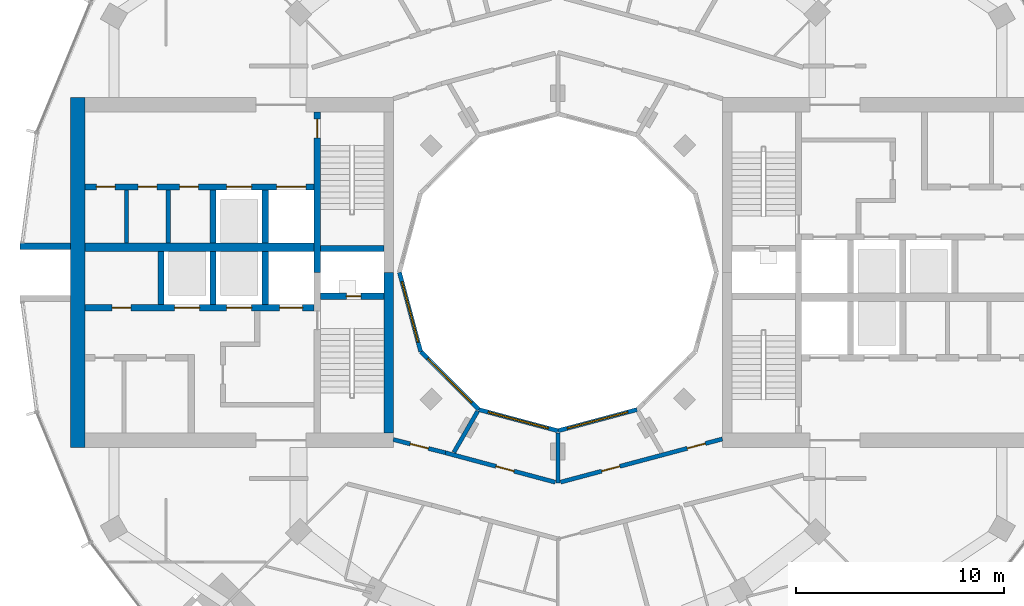
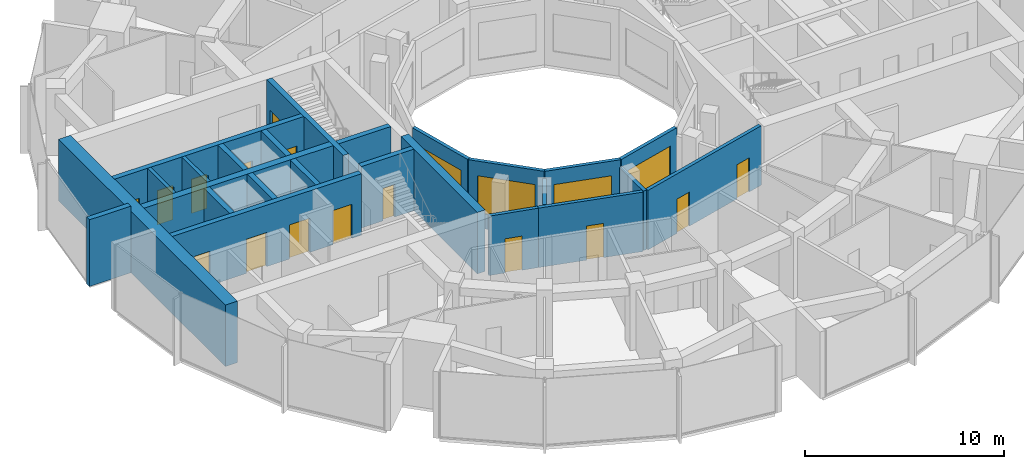
# One storey, part 9 of 15: 25 walls, 15 doors, 4 windows, 19 openings.
"""IFC4 building model written with IfcOpenShell, lengths in metres."""

from ifc_helpers import new_model, si_unit, direction, frame, frame_2d, origin, place, context, subcontext, project, spatial, rectangle, extrude, material, layer, layer_set, type_object, element, fill, save


model = new_model("IFC4")

# Units and contexts
model_context = context("Model", 3, precision=1e-05, world=origin(), true_north=direction((0.0, 1.0)))
body_context = subcontext(model_context, "Body", "Model", "MODEL_VIEW")
ifc_project = project(units=[si_unit("LENGTHUNIT", "METRE"), si_unit("AREAUNIT", "SQUARE_METRE"), si_unit("VOLUMEUNIT", "CUBIC_METRE"), si_unit("PLANEANGLEUNIT", "RADIAN"), si_unit("MASSUNIT", "GRAM", prefix="KILO")], contexts=[model_context])

# Site, building, storey
site_placement = place(None, origin())
site = spatial("IfcSite", under=ifc_project, at=site_placement, CompositionType="ELEMENT")
building_placement = place(site_placement, origin())
building = spatial("IfcBuilding", under=site, at=building_placement, Name="Torre Brocal", CompositionType="ELEMENT")
storey_placement = place(building_placement, frame((0.0, 0.0, 190.5)))
storey = spatial("IfcBuildingStorey", under=building, at=storey_placement, Name="L44", CompositionType="ELEMENT", Elevation=190.5)

# Walls
ifc_material_1 = material(Name="Masonry block", Category="masonry")
ifc_layer_1 = layer(ifc_material_1, 0.199951171875)
ifc_layer_set_1 = layer_set([ifc_layer_1], Name="Masonry block")
wall_type_1 = type_object("IfcWallType", Name="CORE PARTITION 200", PredefinedType="PARTITIONING", material=ifc_layer_set_1)
for number, where, z_axis, x_axis, name in (
    (1, (61.300048828125, 78.949951171875, 0.0), (0.0, 0.0, 1.0), (0.0, -1.0, 0.0), "Wall CP200"),
    (2, (59.300048828125, 78.949951171875, 0.0), (0.0, 0.0, 1.0), (0.0, -1.0, 0.0), "Wall CP200"),
):
    element("IfcWall", number, at=place(storey_placement, frame(where, z_axis=z_axis, x_axis=x_axis)), inside=storey, type_object=wall_type_1, Name=name, PredefinedType="PARTITIONING", context=body_context, shape_type="SweptSolid", body=[
        extrude(rectangle(XDim=2.550048828125, YDim=0.199951171875, at=frame_2d((1.27490234375, 0.0))), origin(), (0.0, 0.0, 1.0), 3.780029296875),
    ])

# Wall, opening, door
ifc_material_2 = material(Name="Concrete C70", Category="concrete")
ifc_layer_2 = layer(ifc_material_2, 0.300048828125)
ifc_layer_set_2 = layer_set([ifc_layer_2], Name="Concrete C70")
wall_type_2 = type_object("IfcWallType", Name="CORE WALL 300 C70", PredefinedType="SHEAR", material=ifc_layer_set_2)
wall_1_placement = place(storey_placement, frame((68.449951171875, 82.699951171875, 0.0), z_axis=(0.0, 0.0, 1.0), x_axis=(0.0, -1.0, 0.0)))
wall_1 = element("IfcWall", 3, at=wall_1_placement, inside=storey, type_object=wall_type_2, Name="Wall CW300-70", PredefinedType="SHEAR", context=body_context, shape_type="SweptSolid", body=[
    extrude(rectangle(XDim=7.699951171875, YDim=0.300048828125, at=frame_2d((3.85009765625, 0.0))), origin(), (0.0, 0.0, 1.0), 3.780029296875),
])
opening_1_placement = place(wall_1_placement, frame((0.35009765625, 0.0, 0.0)))
opening_1 = element("IfcOpeningElement", 4, at=opening_1_placement, cuts=wall_1, Name="Opening W-D03", PredefinedType="OPENING", context=body_context, shape_type="SweptSolid", body=[
    extrude(rectangle(XDim=0.89990234375, YDim=2.10009765625, at=frame_2d((0.449951171875, 1.050048828125))), frame((0.0, 0.159912109375, 0.0), z_axis=(0.0, -1.0, 0.0), x_axis=(1.0, 0.0, 0.0)), (0.0, 0.0, 1.0), 0.320068359375),
])
ifc_material_3 = material(Name="Steel A653", Category="steel")
door_type_1 = type_object("IfcDoorType", Name="STAIR DOOR FD120 900X2100", OperationType="SINGLE_SWING_RIGHT", PredefinedType="DOOR", material=ifc_material_3)
door_1_placement = place(opening_1_placement, origin())
door_1 = element("IfcDoor", 5, at=door_1_placement, inside=storey, type_object=door_type_1, Name="Door W-D03", OperationType="SINGLE_SWING_LEFT", OverallHeight=2.10009765625, OverallWidth=0.89990234375, PredefinedType="DOOR", context=body_context, shape_type="SweptSolid", body=[
    extrude(rectangle(XDim=0.89990234375, YDim=2.10009765625, at=frame_2d((0.449951171875, 1.050048828125))), frame((0.0, 0.02490234375, 0.0), z_axis=(0.0, -1.0, 0.0), x_axis=(1.0, 0.0, 0.0)), (0.0, 0.0, 1.0), 0.050048828125),
])
fill(opening_1, door_1)

wall_2_placement = place(storey_placement, frame((71.64990234375, 73.85009765625, 0.0), z_axis=(0.0, 0.0, 1.0), x_axis=(-1.0, 0.0, 0.0)))
wall_2 = element("IfcWall", 6, at=wall_2_placement, inside=storey, type_object=wall_type_2, Name="Wall CW300-70", PredefinedType="SHEAR", context=body_context, shape_type="SweptSolid", body=[
    extrude(rectangle(XDim=3.0498046875, YDim=0.300048828125, at=frame_2d((1.52490234375, 0.0))), origin(), (0.0, 0.0, 1.0), 3.780029296875),
])
opening_2_placement = place(wall_2_placement, frame((1.10009765625, 0.0, 0.0)))
opening_2 = element("IfcOpeningElement", 7, at=opening_2_placement, cuts=wall_2, Name="Opening W-D01", PredefinedType="OPENING", context=body_context, shape_type="SweptSolid", body=[
    extrude(rectangle(XDim=0.699951171875, YDim=2.0, at=frame_2d((0.35009765625, 1.0))), frame((0.0, 0.159912109375, 0.0), z_axis=(0.0, -1.0, 0.0), x_axis=(1.0, 0.0, 0.0)), (0.0, 0.0, 1.0), 0.320068359375),
])
ifc_material_4 = material(Name="Steel A653", Category="steel")
door_type_2 = type_object("IfcDoorType", Name="RISER DOOR FD120 700X2000", OperationType="SINGLE_SWING_LEFT", PredefinedType="DOOR", material=ifc_material_4)
door_2_placement = place(opening_2_placement, frame((0.699951171875, 0.0, 0.0), z_axis=(0.0, 0.0, 1.0), x_axis=(-1.0, 0.0, 0.0)))
door_2 = element("IfcDoor", 8, at=door_2_placement, inside=storey, type_object=door_type_2, Name="Door W-D01", OperationType="SINGLE_SWING_RIGHT", OverallHeight=2.0, OverallWidth=0.699951171875, PredefinedType="DOOR", context=body_context, shape_type="SweptSolid", body=[
    extrude(rectangle(XDim=0.699951171875, YDim=2.0, at=frame_2d((0.35009765625, 1.0))), frame((0.0, 0.02490234375, 0.0), z_axis=(0.0, -1.0, 0.0), x_axis=(1.0, 0.0, 0.0)), (0.0, 0.0, 1.0), 0.050048828125),
])
fill(opening_2, door_2)

# Wall
wall_3_placement = place(storey_placement, frame((71.64990234375, 76.14990234375, 0.0), z_axis=(0.0, 0.0, 1.0), x_axis=(-1.0, 0.0, 0.0)))
element("IfcWall", 9, at=wall_3_placement, inside=storey, type_object=wall_type_2, Name="Wall CW300-70", PredefinedType="SHEAR", context=body_context, shape_type="SweptSolid", body=[
    extrude(rectangle(XDim=3.0498046875, YDim=0.300048828125, at=frame_2d((1.52490234375, 0.0))), origin(), (0.0, 0.0, 1.0), 3.780029296875),
])

# Wall, openings, doors
wall_4_placement = place(storey_placement, frame((68.300048828125, 73.300048828125, 0.0), z_axis=(0.0, 0.0, 1.0), x_axis=(-1.0, 0.0, 0.0)))
wall_4 = element("IfcWall", 10, at=wall_4_placement, inside=storey, type_object=wall_type_2, Name="Wall CW300-70", PredefinedType="SHEAR", context=body_context, shape_type="SweptSolid", body=[
    extrude(rectangle(XDim=11.0, YDim=0.300048828125, at=frame_2d((5.5, 0.0))), origin(), (0.0, 0.0, 1.0), 3.780029296875),
])
opening_3_placement = place(wall_4_placement, frame((0.550048828125, 0.0, 0.0)))
opening_3 = element("IfcOpeningElement", 11, at=opening_3_placement, cuts=wall_4, Name="Opening LD", PredefinedType="OPENING", context=body_context, shape_type="SweptSolid", body=[
    extrude(rectangle(XDim=1.10009765625, YDim=2.10009765625, at=frame_2d((0.550048828125, 1.050048828125))), frame((0.0, 0.159912109375, 0.0), z_axis=(0.0, -1.0, 0.0), x_axis=(1.0, 0.0, 0.0)), (0.0, 0.0, 1.0), 0.320068359375),
])
opening_4_placement = place(wall_4_placement, frame((3.0, 0.0, 0.0)))
opening_4 = element("IfcOpeningElement", 12, at=opening_4_placement, cuts=wall_4, Name="Opening LD12", PredefinedType="OPENING", context=body_context, shape_type="SweptSolid", body=[
    extrude(rectangle(XDim=1.199951171875, YDim=2.10009765625, at=frame_2d((0.60009765625, 1.050048828125))), frame((0.0, 0.159912109375, 0.0), z_axis=(0.0, -1.0, 0.0), x_axis=(1.0, 0.0, 0.0)), (0.0, 0.0, 1.0), 0.320068359375),
])
opening_5_placement = place(wall_4_placement, frame((5.5, 0.0, 0.0)))
opening_5 = element("IfcOpeningElement", 13, at=opening_5_placement, cuts=wall_4, Name="Opening LD12", PredefinedType="OPENING", context=body_context, shape_type="SweptSolid", body=[
    extrude(rectangle(XDim=1.199951171875, YDim=2.10009765625, at=frame_2d((0.60009765625, 1.050048828125))), frame((0.0, 0.159912109375, 0.0), z_axis=(0.0, -1.0, 0.0), x_axis=(1.0, 0.0, 0.0)), (0.0, 0.0, 1.0), 0.320068359375),
])
opening_6_placement = place(wall_4_placement, frame((8.800048828125, 0.0, 0.0)))
opening_6 = element("IfcOpeningElement", 14, at=opening_6_placement, cuts=wall_4, Name="Opening W-D04", PredefinedType="OPENING", context=body_context, shape_type="SweptSolid", body=[
    extrude(rectangle(XDim=0.89990234375, YDim=2.10009765625, at=frame_2d((0.449951171875, 1.050048828125))), frame((0.0, 0.159912109375, 0.0), z_axis=(0.0, -1.0, 0.0), x_axis=(1.0, 0.0, 0.0)), (0.0, 0.0, 1.0), 0.320068359375),
])
ifc_material_5 = material(Name="Stainless steel AISI 316", Category="steel")
door_type_3 = type_object("IfcDoorType", Name="LIFT LANDING DOOR 1100X2100", OperationType="DOUBLE_DOOR_SLIDING", PredefinedType="DOOR", material=ifc_material_5)
door_3_placement = place(opening_3_placement, origin())
door_3 = element("IfcDoor", 15, at=door_3_placement, inside=storey, type_object=door_type_3, Name="Door LD", OperationType="DOUBLE_DOOR_SLIDING", OverallHeight=2.10009765625, OverallWidth=1.10009765625, PredefinedType="DOOR", context=body_context, shape_type="SweptSolid", body=[
    extrude(rectangle(XDim=1.10009765625, YDim=2.10009765625, at=frame_2d((0.550048828125, 1.050048828125))), frame((0.0, 0.02490234375, 0.0), z_axis=(0.0, -1.0, 0.0), x_axis=(1.0, 0.0, 0.0)), (0.0, 0.0, 1.0), 0.050048828125),
])
fill(opening_3, door_3)
ifc_material_6 = material(Name="Stainless steel AISI 316", Category="steel")
door_type_4 = type_object("IfcDoorType", Name="LIFT LANDING DOOR 1200X2100", OperationType="DOUBLE_DOOR_SLIDING", PredefinedType="DOOR", material=ifc_material_6)
door_4_placement = place(opening_4_placement, origin())
door_4 = element("IfcDoor", 16, at=door_4_placement, inside=storey, type_object=door_type_4, Name="Door LD12", OperationType="DOUBLE_DOOR_SLIDING", OverallHeight=2.10009765625, OverallWidth=1.199951171875, PredefinedType="DOOR", context=body_context, shape_type="SweptSolid", body=[
    extrude(rectangle(XDim=1.199951171875, YDim=2.10009765625, at=frame_2d((0.60009765625, 1.050048828125))), frame((0.0, 0.02490234375, 0.0), z_axis=(0.0, -1.0, 0.0), x_axis=(1.0, 0.0, 0.0)), (0.0, 0.0, 1.0), 0.050048828125),
])
fill(opening_4, door_4)
door_5_placement = place(opening_5_placement, origin())
door_5 = element("IfcDoor", 17, at=door_5_placement, inside=storey, type_object=door_type_4, Name="Door LD12", OperationType="DOUBLE_DOOR_SLIDING", OverallHeight=2.10009765625, OverallWidth=1.199951171875, PredefinedType="DOOR", context=body_context, shape_type="SweptSolid", body=[
    extrude(rectangle(XDim=1.199951171875, YDim=2.10009765625, at=frame_2d((0.60009765625, 1.050048828125))), frame((0.0, 0.02490234375, 0.0), z_axis=(0.0, -1.0, 0.0), x_axis=(1.0, 0.0, 0.0)), (0.0, 0.0, 1.0), 0.050048828125),
])
fill(opening_5, door_5)
ifc_material_7 = material(Name="Steel A653", Category="steel")
door_type_5 = type_object("IfcDoorType", Name="ROOM DOOR FD30S 900X2100", OperationType="SINGLE_SWING_LEFT", PredefinedType="DOOR", material=ifc_material_7)
door_6_placement = place(opening_6_placement, frame((0.89990234375, 0.0, 0.0), z_axis=(0.0, 0.0, 1.0), x_axis=(-1.0, 0.0, 0.0)))
door_6 = element("IfcDoor", 18, at=door_6_placement, inside=storey, type_object=door_type_5, Name="Door W-D04", OperationType="SINGLE_SWING_LEFT", OverallHeight=2.10009765625, OverallWidth=0.89990234375, PredefinedType="DOOR", context=body_context, shape_type="SweptSolid", body=[
    extrude(rectangle(XDim=0.89990234375, YDim=2.10009765625, at=frame_2d((0.449951171875, 1.050048828125))), frame((0.0, 0.02490234375, 0.0), z_axis=(0.0, -1.0, 0.0), x_axis=(1.0, 0.0, 0.0)), (0.0, 0.0, 1.0), 0.050048828125),
])
fill(opening_6, door_6)

wall_5_placement = place(storey_placement, frame((68.300048828125, 79.10009765625, 0.0), z_axis=(0.0, 0.0, 1.0), x_axis=(-1.0, 0.0, 0.0)))
wall_5 = element("IfcWall", 19, at=wall_5_placement, inside=storey, type_object=wall_type_2, Name="Wall CW300-70", PredefinedType="SHEAR", context=body_context, shape_type="SweptSolid", body=[
    extrude(rectangle(XDim=11.0, YDim=0.300048828125, at=frame_2d((5.5, 0.0))), origin(), (0.0, 0.0, 1.0), 3.780029296875),
])
opening_7_placement = place(wall_5_placement, frame((0.39990234375, 0.0, 0.0)))
opening_7 = element("IfcOpeningElement", 20, at=opening_7_placement, cuts=wall_5, Name="Opening LD14", PredefinedType="OPENING", context=body_context, shape_type="SweptSolid", body=[
    extrude(rectangle(XDim=1.39990234375, YDim=2.10009765625, at=frame_2d((0.699951171875, 1.050048828125))), frame((0.0, 0.159912109375, 0.0), z_axis=(0.0, -1.0, 0.0), x_axis=(1.0, 0.0, 0.0)), (0.0, 0.0, 1.0), 0.320068359375),
])
opening_8_placement = place(wall_5_placement, frame((3.0, 0.0, 0.0)))
opening_8 = element("IfcOpeningElement", 21, at=opening_8_placement, cuts=wall_5, Name="Opening LD12", PredefinedType="OPENING", context=body_context, shape_type="SweptSolid", body=[
    extrude(rectangle(XDim=1.199951171875, YDim=2.10009765625, at=frame_2d((0.60009765625, 1.050048828125))), frame((0.0, 0.159912109375, 0.0), z_axis=(0.0, -1.0, 0.0), x_axis=(1.0, 0.0, 0.0)), (0.0, 0.0, 1.0), 0.320068359375),
])
opening_9_placement = place(wall_5_placement, frame((5.550048828125, 0.0, 0.0)))
opening_9 = element("IfcOpeningElement", 22, at=opening_9_placement, cuts=wall_5, Name="Opening W-D05", PredefinedType="OPENING", context=body_context, shape_type="SweptSolid", body=[
    extrude(rectangle(XDim=0.89990234375, YDim=2.10009765625, at=frame_2d((0.449951171875, 1.050048828125))), frame((0.0, 0.159912109375, 0.0), z_axis=(0.0, -1.0, 0.0), x_axis=(1.0, 0.0, 0.0)), (0.0, 0.0, 1.0), 0.320068359375),
])
opening_10_placement = place(wall_5_placement, frame((7.550048828125, 0.0, 0.0)))
opening_10 = element("IfcOpeningElement", 23, at=opening_10_placement, cuts=wall_5, Name="Opening W-D06", PredefinedType="OPENING", context=body_context, shape_type="SweptSolid", body=[
    extrude(rectangle(XDim=0.89990234375, YDim=2.10009765625, at=frame_2d((0.449951171875, 1.050048828125))), frame((0.0, 0.159912109375, 0.0), z_axis=(0.0, -1.0, 0.0), x_axis=(1.0, 0.0, 0.0)), (0.0, 0.0, 1.0), 0.320068359375),
])
opening_11_placement = place(wall_5_placement, frame((9.550048828125, 0.0, 0.0)))
opening_11 = element("IfcOpeningElement", 24, at=opening_11_placement, cuts=wall_5, Name="Opening W-D07", PredefinedType="OPENING", context=body_context, shape_type="SweptSolid", body=[
    extrude(rectangle(XDim=0.89990234375, YDim=2.10009765625, at=frame_2d((0.449951171875, 1.050048828125))), frame((0.0, 0.159912109375, 0.0), z_axis=(0.0, -1.0, 0.0), x_axis=(1.0, 0.0, 0.0)), (0.0, 0.0, 1.0), 0.320068359375),
])
door_7_placement = place(opening_8_placement, origin())
door_7 = element("IfcDoor", 25, at=door_7_placement, inside=storey, type_object=door_type_4, Name="Door LD12", OperationType="DOUBLE_DOOR_SLIDING", OverallHeight=2.10009765625, OverallWidth=1.199951171875, PredefinedType="DOOR", context=body_context, shape_type="SweptSolid", body=[
    extrude(rectangle(XDim=1.199951171875, YDim=2.10009765625, at=frame_2d((0.60009765625, 1.050048828125))), frame((0.0, 0.02490234375, 0.0), z_axis=(0.0, -1.0, 0.0), x_axis=(1.0, 0.0, 0.0)), (0.0, 0.0, 1.0), 0.050048828125),
])
fill(opening_8, door_7)
ifc_material_8 = material(Name="Stainless steel AISI 316", Category="steel")
door_type_6 = type_object("IfcDoorType", Name="LIFT LANDING DOOR 1400X2100", OperationType="DOUBLE_DOOR_SLIDING", PredefinedType="DOOR", material=ifc_material_8)
door_8_placement = place(opening_7_placement, origin())
door_8 = element("IfcDoor", 26, at=door_8_placement, inside=storey, type_object=door_type_6, Name="Door LD14", OperationType="DOUBLE_DOOR_SLIDING", OverallHeight=2.10009765625, OverallWidth=1.39990234375, PredefinedType="DOOR", context=body_context, shape_type="SweptSolid", body=[
    extrude(rectangle(XDim=1.39990234375, YDim=2.10009765625, at=frame_2d((0.699951171875, 1.050048828125))), frame((0.0, 0.02490234375, 0.0), z_axis=(0.0, -1.0, 0.0), x_axis=(1.0, 0.0, 0.0)), (0.0, 0.0, 1.0), 0.050048828125),
])
fill(opening_7, door_8)
door_9_placement = place(opening_9_placement, origin())
door_9 = element("IfcDoor", 27, at=door_9_placement, inside=storey, type_object=door_type_5, Name="Door W-D05", OperationType="SINGLE_SWING_RIGHT", OverallHeight=2.10009765625, OverallWidth=0.89990234375, PredefinedType="DOOR", context=body_context, shape_type="SweptSolid", body=[
    extrude(rectangle(XDim=0.89990234375, YDim=2.10009765625, at=frame_2d((0.449951171875, 1.050048828125))), frame((0.0, 0.02490234375, 0.0), z_axis=(0.0, -1.0, 0.0), x_axis=(1.0, 0.0, 0.0)), (0.0, 0.0, 1.0), 0.050048828125),
])
fill(opening_9, door_9)
door_10_placement = place(opening_10_placement, origin())
door_10 = element("IfcDoor", 28, at=door_10_placement, inside=storey, type_object=door_type_5, Name="Door W-D06", OperationType="SINGLE_SWING_LEFT", OverallHeight=2.10009765625, OverallWidth=0.89990234375, PredefinedType="DOOR", context=body_context, shape_type="SweptSolid", body=[
    extrude(rectangle(XDim=0.89990234375, YDim=2.10009765625, at=frame_2d((0.449951171875, 1.050048828125))), frame((0.0, 0.02490234375, 0.0), z_axis=(0.0, -1.0, 0.0), x_axis=(1.0, 0.0, 0.0)), (0.0, 0.0, 1.0), 0.050048828125),
])
fill(opening_10, door_10)
door_11_placement = place(opening_11_placement, origin())
door_11 = element("IfcDoor", 29, at=door_11_placement, inside=storey, type_object=door_type_5, Name="Door W-D07", OperationType="SINGLE_SWING_LEFT", OverallHeight=2.10009765625, OverallWidth=0.89990234375, PredefinedType="DOOR", context=body_context, shape_type="SweptSolid", body=[
    extrude(rectangle(XDim=0.89990234375, YDim=2.10009765625, at=frame_2d((0.449951171875, 1.050048828125))), frame((0.0, 0.02490234375, 0.0), z_axis=(0.0, -1.0, 0.0), x_axis=(1.0, 0.0, 0.0)), (0.0, 0.0, 1.0), 0.050048828125),
])
fill(opening_11, door_11)

# Walls
for number, where, z_axis, x_axis, name in (
    (30, (65.949951171875, 76.0, 0.0), (0.0, 0.0, 1.0), (0.0, -1.0, 0.0), "Wall CW300-70"),
    (31, (63.449951171875, 76.0, 0.0), (0.0, 0.0, 1.0), (0.0, -1.0, 0.0), "Wall CW300-70"),
    (32, (60.949951171875, 76.0, 0.0), (0.0, 0.0, 1.0), (0.0, -1.0, 0.0), "Wall CW300-70"),
    (33, (65.949951171875, 78.949951171875, 0.0), (0.0, 0.0, 1.0), (0.0, -1.0, 0.0), "Wall CW300-70"),
    (34, (63.449951171875, 78.949951171875, 0.0), (0.0, 0.0, 1.0), (0.0, -1.0, 0.0), "Wall CW300-70"),
):
    element("IfcWall", number, at=place(storey_placement, frame(where, z_axis=z_axis, x_axis=x_axis)), inside=storey, type_object=wall_type_2, Name=name, PredefinedType="SHEAR", context=body_context, shape_type="SweptSolid", body=[
        extrude(rectangle(XDim=2.550048828125, YDim=0.300048828125, at=frame_2d((1.27490234375, 0.0))), origin(), (0.0, 0.0, 1.0), 3.780029296875),
    ])
ifc_material_9 = material(Name="Concrete C70", Category="concrete")
ifc_layer_3 = layer(ifc_material_9, 0.39990234375)
ifc_layer_set_3 = layer_set([ifc_layer_3], Name="Concrete C70")
wall_type_3 = type_object("IfcWallType", Name="CORE WALL 400 C70", PredefinedType="SHEAR", material=ifc_layer_set_3)
wall_6_placement = place(storey_placement, frame((68.300048828125, 76.199951171875, 0.0), z_axis=(0.0, 0.0, 1.0), x_axis=(-1.0, 0.0, 0.0)))
element("IfcWall", 35, at=wall_6_placement, inside=storey, type_object=wall_type_3, Name="Wall CW400-70", PredefinedType="SHEAR", context=body_context, shape_type="SweptSolid", body=[
    extrude(rectangle(XDim=11.0, YDim=0.39990234375, at=frame_2d((5.5, 0.0))), origin(), (0.0, 0.0, 1.0), 3.780029296875),
])
ifc_material_10 = material(Name="Concrete C70", Category="concrete")
ifc_layer_4 = layer(ifc_material_10, 0.449951171875)
ifc_layer_set_4 = layer_set([ifc_layer_4], Name="Concrete C70")
wall_type_4 = type_object("IfcWallType", Name="CORE WALL 450 C70", PredefinedType="SHEAR", material=ifc_layer_set_4)
wall_7_placement = place(storey_placement, frame((71.875, 75.0, 0.0), z_axis=(0.0, 0.0, 1.0), x_axis=(0.0, -1.0, 0.0)))
element("IfcWall", 36, at=wall_7_placement, inside=storey, type_object=wall_type_4, Name="Wall CW450-70", PredefinedType="SHEAR", context=body_context, shape_type="SweptSolid", body=[
    extrude(rectangle(XDim=7.699951171875, YDim=0.449951171875, at=frame_2d((3.85009765625, 0.0))), origin(), (0.0, 0.0, 1.0), 3.780029296875),
])
ifc_material_11 = material(Name="Concrete C70", Category="concrete")
ifc_layer_5 = layer(ifc_material_11, 0.699951171875)
ifc_layer_set_5 = layer_set([ifc_layer_5], Name="Concrete C70")
wall_type_5 = type_object("IfcWallType", Name="CORE WALL 700 C70", PredefinedType="SHEAR", material=ifc_layer_set_5)
wall_8_placement = place(storey_placement, frame((56.949951171875, 83.39990234375, 0.0), z_axis=(0.0, 0.0, 1.0), x_axis=(0.0, -1.0, 0.0)))
element("IfcWall", 37, at=wall_8_placement, inside=storey, type_object=wall_type_5, Name="Wall CW700-70", PredefinedType="SHEAR", context=body_context, shape_type="SweptSolid", body=[
    extrude(rectangle(XDim=16.7998046875, YDim=0.699951171875, at=frame_2d((8.39990234375, 0.0))), origin(), (0.0, 0.0, 1.0), 3.780029296875),
])
ifc_material_12 = material(Name="Concrete C70", Category="concrete")
ifc_layer_6 = layer(ifc_material_12, 0.300048828125)
ifc_layer_set_6 = layer_set([ifc_layer_6], Name="Concrete C70")
wall_type_6 = type_object("IfcWallType", Name="NOTCH RETURN WALL 300 C70", PredefinedType="NOTDEFINED", material=ifc_layer_set_6)
wall_9_placement = place(storey_placement, frame((56.60009765625, 76.25, 0.0), z_axis=(0.0, 0.0, 1.0), x_axis=(-1.0, 0.0, 0.0)))
element("IfcWall", 38, at=wall_9_placement, inside=storey, type_object=wall_type_6, Name="NOTCH RETURN WALL", PredefinedType="NOTDEFINED", context=body_context, shape_type="SweptSolid", body=[
    extrude(rectangle(XDim=2.415771484375, YDim=0.300048828125, at=frame_2d((1.2080078125, 0.0))), origin(), (0.0, 0.0, 1.0), 4.10009765625),
])

# Wall, opening, door
ifc_material_13 = material(Name="Gypsum board", Category="Gypsum")
ifc_layer_7 = layer(ifc_material_13, 0.199951171875)
ifc_layer_set_7 = layer_set([ifc_layer_7], Name="Gypsum board")
wall_type_7 = type_object("IfcWallType", Name="PARTITION 200 EI60", PredefinedType="PARTITIONING", material=ifc_layer_set_7)
wall_10_placement = place(storey_placement, frame((72.10009765625, 66.97509765625, 0.0), z_axis=(0.0, 0.0, 1.0), x_axis=(0.969471314457, -0.245204752086, 0.0)))
wall_10 = element("IfcWall", 39, at=wall_10_placement, inside=storey, type_object=wall_type_7, Name="CORRIDOR WALL", PredefinedType="PARTITIONING", context=body_context, shape_type="SweptSolid", body=[
    extrude(rectangle(XDim=2.581787109375, YDim=0.199951171875, at=frame_2d((1.291015625, 0.0))), origin(), (0.0, 0.0, 1.0), 3.64990234375),
])
opening_12_placement = place(wall_10_placement, frame((0.8408203125, 0.0, 0.0)))
opening_12 = element("IfcOpeningElement", 40, at=opening_12_placement, cuts=wall_10, Name="Opening R03-D41", PredefinedType="OPENING", context=body_context, shape_type="SweptSolid", body=[
    extrude(rectangle(XDim=0.89990234375, YDim=2.10009765625, at=frame_2d((0.449951171875, 1.050048828125))), frame((0.0, 0.10986328125, 0.0), z_axis=(0.0, -1.0, 0.0), x_axis=(1.0, 0.0, 0.0)), (0.0, 0.0, 1.0), 0.219970703125),
])
ifc_material_14 = material(Name="Timber", Category="wood")
door_type_7 = type_object("IfcDoorType", Name="ROOM DOOR 900X2100", OperationType="SINGLE_SWING_LEFT", PredefinedType="DOOR", material=ifc_material_14)
door_12_placement = place(opening_12_placement, origin())
door_12 = element("IfcDoor", 41, at=door_12_placement, inside=storey, type_object=door_type_7, Name="R03-D41", OperationType="SINGLE_SWING_LEFT", OverallHeight=2.10009765625, OverallWidth=0.89990234375, PredefinedType="DOOR", context=body_context, shape_type="SweptSolid", body=[
    extrude(rectangle(XDim=0.89990234375, YDim=2.10009765625, at=frame_2d((0.449951171875, 1.050048828125))), frame((0.0, 0.02490234375, 0.0), z_axis=(0.0, -1.0, 0.0), x_axis=(1.0, 0.0, 0.0)), (0.0, 0.0, 1.0), 0.050048828125),
])
fill(opening_12, door_12)

wall_11_placement = place(storey_placement, frame((74.60302734375, 66.342041015625, 0.0), z_axis=(0.0, 0.0, 1.0), x_axis=(0.965920893652, -0.258837453254, 0.0)))
wall_11 = element("IfcWall", 42, at=wall_11_placement, inside=storey, type_object=wall_type_7, Name="CORRIDOR WALL", PredefinedType="PARTITIONING", context=body_context, shape_type="SweptSolid", body=[
    extrude(rectangle(XDim=5.45751953125, YDim=0.199951171875, at=frame_2d((2.728759765625, 0.0))), origin(), (0.0, 0.0, 1.0), 3.64990234375),
])
opening_13_placement = place(wall_11_placement, frame((2.512451171875, 0.0, 0.0)))
opening_13 = element("IfcOpeningElement", 43, at=opening_13_placement, cuts=wall_11, Name="Opening R03-D40", PredefinedType="OPENING", context=body_context, shape_type="SweptSolid", body=[
    extrude(rectangle(XDim=0.89990234375, YDim=2.10009765625, at=frame_2d((0.449951171875, 1.050048828125))), frame((0.0, 0.10986328125, 0.0), z_axis=(0.0, -1.0, 0.0), x_axis=(1.0, 0.0, 0.0)), (0.0, 0.0, 1.0), 0.219970703125),
])
door_13_placement = place(opening_13_placement, origin())
door_13 = element("IfcDoor", 44, at=door_13_placement, inside=storey, type_object=door_type_7, Name="R03-D40", OperationType="SINGLE_SWING_LEFT", OverallHeight=2.10009765625, OverallWidth=0.89990234375, PredefinedType="DOOR", context=body_context, shape_type="SweptSolid", body=[
    extrude(rectangle(XDim=0.89990234375, YDim=2.10009765625, at=frame_2d((0.449951171875, 1.050048828125))), frame((0.0, 0.02490234375, 0.0), z_axis=(0.0, -1.0, 0.0), x_axis=(1.0, 0.0, 0.0)), (0.0, 0.0, 1.0), 0.050048828125),
])
fill(opening_13, door_13)

# Wall
wall_12_placement = place(storey_placement, frame((75.010498046875, 66.364013671875, 0.0), z_axis=(0.0, 0.0, 1.0), x_axis=(0.500097042406, 0.865969369075, 0.0)))
element("IfcWall", 45, at=wall_12_placement, inside=storey, type_object=wall_type_7, Name="SERVICE ROOM WALL", PredefinedType="PARTITIONING", context=body_context, shape_type="SweptSolid", body=[
    extrude(rectangle(XDim=2.275390625, YDim=0.199951171875, at=frame_2d((1.1376953125, 0.0))), origin(), (0.0, 0.0, 1.0), 3.64990234375),
])

# Wall, openings, doors
wall_13_placement = place(storey_placement, frame((80.125, 64.931640625, 0.0), z_axis=(0.0, 0.0, 1.0), x_axis=(0.966236955806, 0.257655089674, 0.0)))
wall_13 = element("IfcWall", 46, at=wall_13_placement, inside=storey, type_object=wall_type_7, Name="CORRIDOR WALL", PredefinedType="PARTITIONING", context=body_context, shape_type="SweptSolid", body=[
    extrude(rectangle(XDim=8.0390625, YDim=0.199951171875, at=frame_2d((4.01953125, 0.0))), origin(), (0.0, 0.0, 1.0), 3.64990234375),
])
opening_14_placement = place(wall_13_placement, frame((6.298095703125, 0.0, 0.0)))
opening_14 = element("IfcOpeningElement", 47, at=opening_14_placement, cuts=wall_13, Name="Opening R03-D38", PredefinedType="OPENING", context=body_context, shape_type="SweptSolid", body=[
    extrude(rectangle(XDim=0.89990234375, YDim=2.10009765625, at=frame_2d((0.449951171875, 1.050048828125))), frame((0.0, 0.10986328125, 0.0), z_axis=(0.0, -1.0, 0.0), x_axis=(1.0, 0.0, 0.0)), (0.0, 0.0, 1.0), 0.219970703125),
])
opening_15_placement = place(wall_13_placement, frame((2.044921875, 0.0, 0.0)))
opening_15 = element("IfcOpeningElement", 48, at=opening_15_placement, cuts=wall_13, Name="Opening R03-D39", PredefinedType="OPENING", context=body_context, shape_type="SweptSolid", body=[
    extrude(rectangle(XDim=0.89990234375, YDim=2.10009765625, at=frame_2d((0.449951171875, 1.050048828125))), frame((0.0, 0.10986328125, 0.0), z_axis=(0.0, -1.0, 0.0), x_axis=(1.0, 0.0, 0.0)), (0.0, 0.0, 1.0), 0.219970703125),
])
door_14_placement = place(opening_14_placement, origin())
door_14 = element("IfcDoor", 49, at=door_14_placement, inside=storey, type_object=door_type_7, Name="R03-D38", OperationType="SINGLE_SWING_RIGHT", OverallHeight=2.10009765625, OverallWidth=0.89990234375, PredefinedType="DOOR", context=body_context, shape_type="SweptSolid", body=[
    extrude(rectangle(XDim=0.89990234375, YDim=2.10009765625, at=frame_2d((0.449951171875, 1.050048828125))), frame((0.0, 0.02490234375, 0.0), z_axis=(0.0, -1.0, 0.0), x_axis=(1.0, 0.0, 0.0)), (0.0, 0.0, 1.0), 0.050048828125),
])
fill(opening_14, door_14)
door_15_placement = place(opening_15_placement, origin())
door_15 = element("IfcDoor", 50, at=door_15_placement, inside=storey, type_object=door_type_7, Name="R03-D39", OperationType="SINGLE_SWING_RIGHT", OverallHeight=2.10009765625, OverallWidth=0.89990234375, PredefinedType="DOOR", context=body_context, shape_type="SweptSolid", body=[
    extrude(rectangle(XDim=0.89990234375, YDim=2.10009765625, at=frame_2d((0.449951171875, 1.050048828125))), frame((0.0, 0.02490234375, 0.0), z_axis=(0.0, -1.0, 0.0), x_axis=(1.0, 0.0, 0.0)), (0.0, 0.0, 1.0), 0.050048828125),
])
fill(opening_15, door_15)

# Wall
wall_14_placement = place(storey_placement, frame((80.0, 64.89599609375, 0.0), z_axis=(0.0, 0.0, 1.0), x_axis=(0.0, 1.0, 0.0)))
element("IfcWall", 51, at=wall_14_placement, inside=storey, type_object=wall_type_7, Name="SERVICE ROOM WALL", PredefinedType="PARTITIONING", context=body_context, shape_type="SweptSolid", body=[
    extrude(rectangle(XDim=2.405029296875, YDim=0.199951171875, at=frame_2d((1.20263671875, 0.0))), origin(), (0.0, 0.0, 1.0), 3.64990234375),
])

# Wall, opening, window
ifc_material_15 = material(Name="Concrete C40", Category="concrete")
ifc_layer_8 = layer(ifc_material_15, 0.199951171875)
ifc_layer_set_8 = layer_set([ifc_layer_8], Name="Concrete C40")
wall_type_8 = type_object("IfcWallType", Name="WELL FACADE WALL 200", PredefinedType="NOTDEFINED", material=ifc_layer_set_8)
wall_15_placement = place(storey_placement, frame((72.396484375, 75.0, 0.0), z_axis=(0.0, 0.0, 1.0), x_axis=(0.258789828301, -0.965933654434, 0.0)))
wall_15 = element("IfcWall", 52, at=wall_15_placement, inside=storey, type_object=wall_type_8, Name="WELL FACADE WALL", PredefinedType="NOTDEFINED", context=body_context, shape_type="SweptSolid", body=[
    extrude(rectangle(XDim=3.935791015625, YDim=0.199951171875, at=frame_2d((1.9677734375, 0.0))), origin(), (0.0, 0.0, 1.0), 4.10009765625),
])
opening_16_placement = place(wall_15_placement, frame((0.468017578125, 0.0, 0.89990234375)))
opening_16 = element("IfcOpeningElement", 53, at=opening_16_placement, cuts=wall_15, Name="Opening W1", PredefinedType="OPENING", context=body_context, shape_type="SweptSolid", body=[
    extrude(rectangle(XDim=3.0, YDim=2.300048828125, at=frame_2d((1.5, 1.14990234375))), frame((0.0, 0.10986328125, 0.0), z_axis=(0.0, -1.0, 0.0), x_axis=(1.0, 0.0, 0.0)), (0.0, 0.0, 1.0), 0.219970703125),
])
ifc_material_16 = material(Name="Aluminium and glass", Category="aluminium")
window_type = type_object("IfcWindowType", Name="WELL WINDOW 3000X2300", PartitioningType="SINGLE_PANEL", PredefinedType="WINDOW", material=ifc_material_16)
window_1_placement = place(opening_16_placement, origin())
window_1 = element("IfcWindow", 54, at=window_1_placement, inside=storey, type_object=window_type, Name="WELL WINDOW 3000X2300", OverallHeight=2.300048828125, OverallWidth=3.0, PartitioningType="SINGLE_PANEL", PredefinedType="WINDOW", context=body_context, shape_type="SweptSolid", body=[
    extrude(rectangle(XDim=3.0, YDim=2.300048828125, at=frame_2d((1.5, 1.14990234375))), frame((0.0, 0.030029296875, 0.0), z_axis=(0.0, -1.0, 0.0), x_axis=(1.0, 0.0, 0.0)), (0.0, 0.0, 1.0), 0.06005859375),
])
fill(opening_16, window_1)

wall_16_placement = place(storey_placement, frame((73.4150390625, 71.1982421875, 0.0), z_axis=(0.0, 0.0, 1.0), x_axis=(0.707106781187, -0.707106781187, 0.0)))
wall_16 = element("IfcWall", 55, at=wall_16_placement, inside=storey, type_object=wall_type_8, Name="WELL FACADE WALL", PredefinedType="NOTDEFINED", context=body_context, shape_type="SweptSolid", body=[
    extrude(rectangle(XDim=3.93603515625, YDim=0.199951171875, at=frame_2d((1.968017578125, 0.0))), origin(), (0.0, 0.0, 1.0), 4.10009765625),
])
opening_17_placement = place(wall_16_placement, frame((0.468017578125, 0.0, 0.89990234375)))
opening_17 = element("IfcOpeningElement", 56, at=opening_17_placement, cuts=wall_16, Name="Opening W1", PredefinedType="OPENING", context=body_context, shape_type="SweptSolid", body=[
    extrude(rectangle(XDim=3.0, YDim=2.300048828125, at=frame_2d((1.5, 1.14990234375))), frame((0.0, 0.10986328125, 0.0), z_axis=(0.0, -1.0, 0.0), x_axis=(1.0, 0.0, 0.0)), (0.0, 0.0, 1.0), 0.219970703125),
])
window_2_placement = place(opening_17_placement, origin())
window_2 = element("IfcWindow", 57, at=window_2_placement, inside=storey, type_object=window_type, Name="WELL WINDOW 3000X2300", OverallHeight=2.300048828125, OverallWidth=3.0, PartitioningType="SINGLE_PANEL", PredefinedType="WINDOW", context=body_context, shape_type="SweptSolid", body=[
    extrude(rectangle(XDim=3.0, YDim=2.300048828125, at=frame_2d((1.5, 1.14990234375))), frame((0.0, 0.030029296875, 0.0), z_axis=(0.0, -1.0, 0.0), x_axis=(1.0, 0.0, 0.0)), (0.0, 0.0, 1.0), 0.06005859375),
])
fill(opening_17, window_2)

wall_17_placement = place(storey_placement, frame((76.1982421875, 68.4150390625, 0.0), z_axis=(0.0, 0.0, 1.0), x_axis=(0.965933654434, -0.258789828301, 0.0)))
wall_17 = element("IfcWall", 58, at=wall_17_placement, inside=storey, type_object=wall_type_8, Name="WELL FACADE WALL", PredefinedType="NOTDEFINED", context=body_context, shape_type="SweptSolid", body=[
    extrude(rectangle(XDim=3.935791015625, YDim=0.199951171875, at=frame_2d((1.9677734375, 0.0))), origin(), (0.0, 0.0, 1.0), 4.10009765625),
])
opening_18_placement = place(wall_17_placement, frame((0.468017578125, 0.0, 0.89990234375)))
opening_18 = element("IfcOpeningElement", 59, at=opening_18_placement, cuts=wall_17, Name="Opening W1", PredefinedType="OPENING", context=body_context, shape_type="SweptSolid", body=[
    extrude(rectangle(XDim=3.0, YDim=2.300048828125, at=frame_2d((1.5, 1.14990234375))), frame((0.0, 0.10986328125, 0.0), z_axis=(0.0, -1.0, 0.0), x_axis=(1.0, 0.0, 0.0)), (0.0, 0.0, 1.0), 0.219970703125),
])
window_3_placement = place(opening_18_placement, origin())
window_3 = element("IfcWindow", 60, at=window_3_placement, inside=storey, type_object=window_type, Name="WELL WINDOW 3000X2300", OverallHeight=2.300048828125, OverallWidth=3.0, PartitioningType="SINGLE_PANEL", PredefinedType="WINDOW", context=body_context, shape_type="SweptSolid", body=[
    extrude(rectangle(XDim=3.0, YDim=2.300048828125, at=frame_2d((1.5, 1.14990234375))), frame((0.0, 0.030029296875, 0.0), z_axis=(0.0, -1.0, 0.0), x_axis=(1.0, 0.0, 0.0)), (0.0, 0.0, 1.0), 0.06005859375),
])
fill(opening_18, window_3)

wall_18_placement = place(storey_placement, frame((80.0, 67.396484375, 0.0), z_axis=(0.0, 0.0, 1.0), x_axis=(0.965933654434, 0.258789828301, 0.0)))
wall_18 = element("IfcWall", 61, at=wall_18_placement, inside=storey, type_object=wall_type_8, Name="WELL FACADE WALL", PredefinedType="NOTDEFINED", context=body_context, shape_type="SweptSolid", body=[
    extrude(rectangle(XDim=3.935791015625, YDim=0.199951171875, at=frame_2d((1.9677734375, 0.0))), origin(), (0.0, 0.0, 1.0), 4.10009765625),
])
opening_19_placement = place(wall_18_placement, frame((0.468017578125, 0.0, 0.89990234375)))
opening_19 = element("IfcOpeningElement", 62, at=opening_19_placement, cuts=wall_18, Name="Opening W1", PredefinedType="OPENING", context=body_context, shape_type="SweptSolid", body=[
    extrude(rectangle(XDim=3.0, YDim=2.300048828125, at=frame_2d((1.5, 1.14990234375))), frame((0.0, 0.10986328125, 0.0), z_axis=(0.0, -1.0, 0.0), x_axis=(1.0, 0.0, 0.0)), (0.0, 0.0, 1.0), 0.219970703125),
])
window_4_placement = place(opening_19_placement, origin())
window_4 = element("IfcWindow", 63, at=window_4_placement, inside=storey, type_object=window_type, Name="WELL WINDOW 3000X2300", OverallHeight=2.300048828125, OverallWidth=3.0, PartitioningType="SINGLE_PANEL", PredefinedType="WINDOW", context=body_context, shape_type="SweptSolid", body=[
    extrude(rectangle(XDim=3.0, YDim=2.300048828125, at=frame_2d((1.5, 1.14990234375))), frame((0.0, 0.030029296875, 0.0), z_axis=(0.0, -1.0, 0.0), x_axis=(1.0, 0.0, 0.0)), (0.0, 0.0, 1.0), 0.06005859375),
])
fill(opening_19, window_4)

save(model, "model.ifc")
